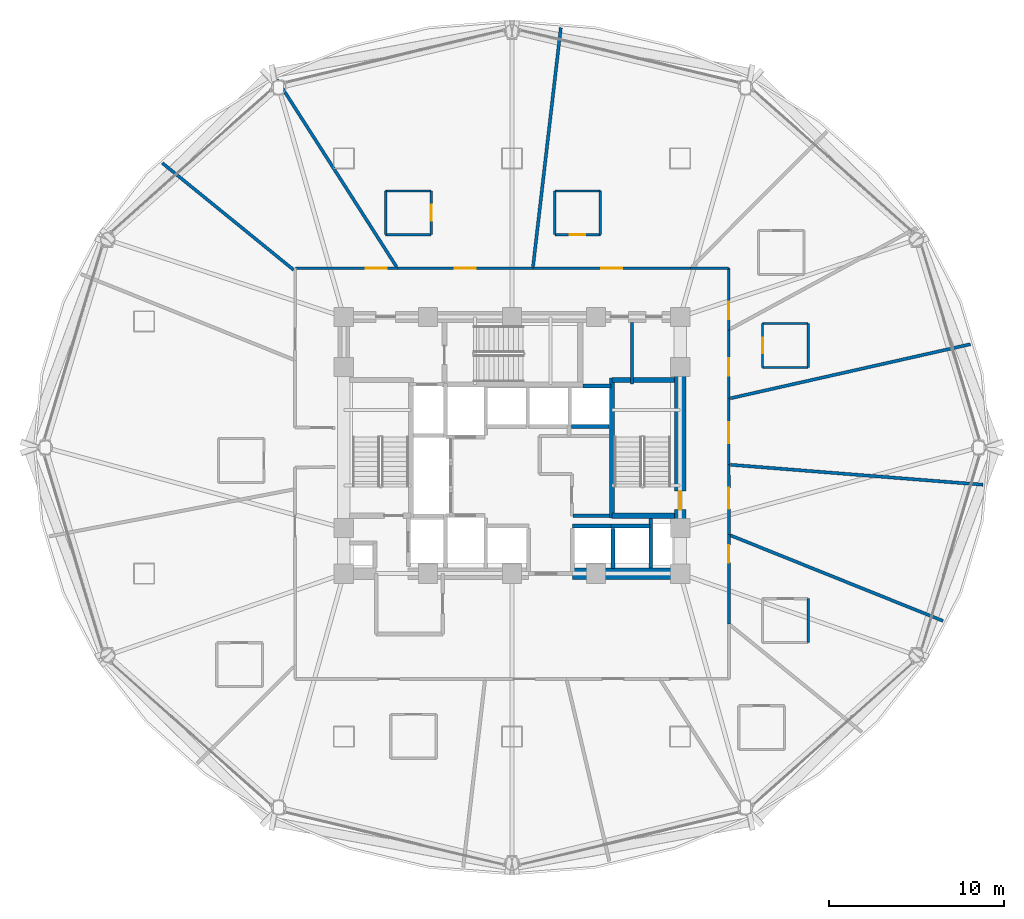
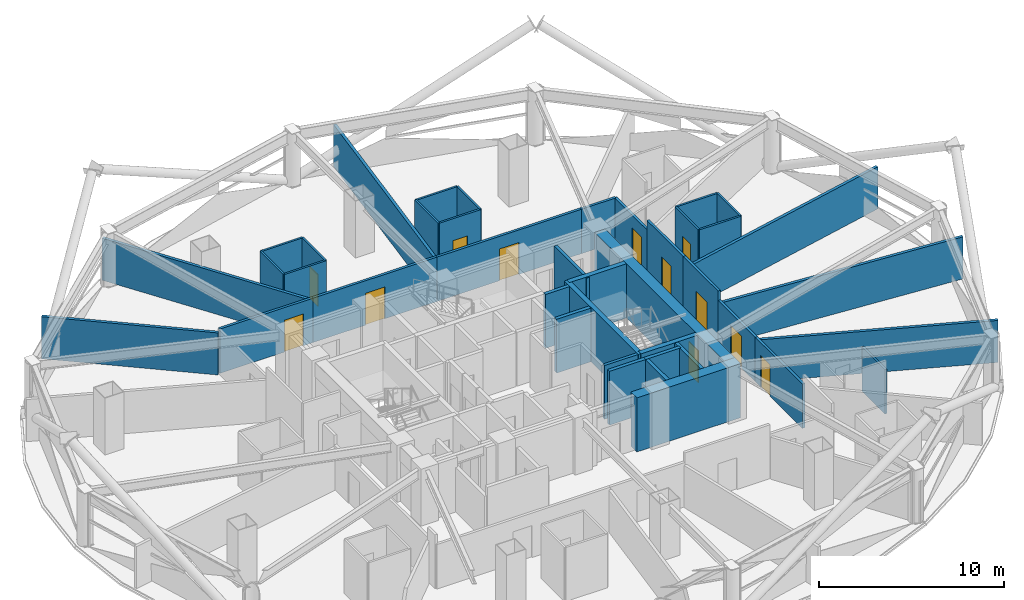
# One storey, part 25 of 30: 41 walls, 12 doors, 12 openings.
"""IFC4 building model written with IfcOpenShell, lengths in metres."""

from ifc_helpers import new_model, si_unit, direction, frame, frame_2d, origin, place, context, subcontext, project, spatial, rectangle, extrude, material, layer, layer_set, type_object, element, fill, save


model = new_model("IFC4")

# Units and contexts
model_context = context("Model", 3, precision=1e-05, world=origin(), true_north=direction((0.0, 1.0)))
body_context = subcontext(model_context, "Body", "Model", "MODEL_VIEW")
ifc_project = project(units=[si_unit("LENGTHUNIT", "METRE"), si_unit("AREAUNIT", "SQUARE_METRE"), si_unit("VOLUMEUNIT", "CUBIC_METRE"), si_unit("PLANEANGLEUNIT", "RADIAN"), si_unit("MASSUNIT", "GRAM", prefix="KILO")], contexts=[model_context])

# Site, building, storey
site_placement = place(None, origin())
site = spatial("IfcSite", under=ifc_project, at=site_placement, CompositionType="ELEMENT")
building_placement = place(site_placement, origin())
building = spatial("IfcBuilding", under=site, at=building_placement, Name="Vantalir Tower", CompositionType="ELEMENT")
storey_placement = place(building_placement, frame((0.0, 0.0, 49.5)))
storey = spatial("IfcBuildingStorey", under=building, at=storey_placement, Name="L11", CompositionType="ELEMENT", Elevation=49.5)

# Walls
ifc_material_1 = material(Name="Moisture-resistant en-suite partition", Category="gypsum")
ifc_layer_1 = layer(ifc_material_1, 0.125)
ifc_layer_set_1 = layer_set([ifc_layer_1], Name="Moisture-resistant en-suite partition")
wall_type_1 = type_object("IfcWallType", Name="WL-BATH-125", PredefinedType="PARTITIONING", material=ifc_layer_set_1)
for number, where, z_axis, x_axis, name in (
    (1, (45.806884765625, 29.572021484375, 0.0), (0.0, 0.0, 1.0), (1.0, 0.0, 0.0), "L11 En-suite 01 South Wall"),
    (2, (45.806884765625, 32.072021484375, 0.0), (0.0, 0.0, 1.0), (1.0, 0.0, 0.0), "L11 En-suite 01 North Wall"),
):
    element("IfcWall", number, at=place(storey_placement, frame(where, z_axis=z_axis, x_axis=x_axis)), inside=storey, type_object=wall_type_1, Name=name, PredefinedType="PARTITIONING", context=body_context, shape_type="SweptSolid", body=[
        extrude(rectangle(XDim=2.60009765625, YDim=0.125, at=frame_2d((1.300048828125, 0.0))), origin(), (0.0, 0.0, 1.0), 3.550048828125),
    ])

# Wall, opening, door
wall_1_placement = place(storey_placement, frame((45.806884765625, 29.572021484375, 0.0), z_axis=(0.0, 0.0, 1.0), x_axis=(0.0, 1.0, 0.0)))
wall_1 = element("IfcWall", 3, at=wall_1_placement, inside=storey, type_object=wall_type_1, Name="L11 En-suite 01 West Wall", PredefinedType="PARTITIONING", context=body_context, shape_type="SweptSolid", body=[
    extrude(rectangle(XDim=2.5, YDim=0.125, at=frame_2d((1.25, 0.0))), origin(), (0.0, 0.0, 1.0), 3.550048828125),
])
opening_1_placement = place(wall_1_placement, frame((0.800048828125, 0.0, 0.0)))
opening_1 = element("IfcOpeningElement", 4, at=opening_1_placement, cuts=wall_1, Name="Opening D-WC", PredefinedType="OPENING", context=body_context, shape_type="SweptSolid", body=[
    extrude(rectangle(XDim=0.89990234375, YDim=2.10009765625, at=frame_2d((0.449951171875, 1.050048828125))), frame((0.0, 0.072509765625, 0.0), z_axis=(0.0, -1.0, 0.0), x_axis=(1.0, 0.0, 0.0)), (0.0, 0.0, 1.0), 0.14501953125),
])
ifc_material_2 = material(Name="Moisture-resistant hardwood door", Category="wood")
door_type_1 = type_object("IfcDoorType", Name="DR-ENSUITE-900", OperationType="NOTDEFINED", PredefinedType="DOOR", material=ifc_material_2)
door_1_placement = place(opening_1_placement, frame((0.89990234375, 0.0, 0.0), z_axis=(0.0, 0.0, 1.0), x_axis=(-1.0, 0.0, 0.0)))
door_1 = element("IfcDoor", 5, at=door_1_placement, inside=storey, type_object=door_type_1, Name="L11 En-suite 01 Door", OperationType="SINGLE_SWING_LEFT", OverallHeight=2.10009765625, OverallWidth=0.89990234375, PredefinedType="DOOR", context=body_context, shape_type="SweptSolid", body=[
    extrude(rectangle(XDim=0.89990234375, YDim=2.10009765625, at=frame_2d((0.449951171875, 1.050048828125))), frame((0.0, 0.02490234375, 0.0), z_axis=(0.0, -1.0, 0.0), x_axis=(1.0, 0.0, 0.0)), (0.0, 0.0, 1.0), 0.050048828125),
])
fill(opening_1, door_1)

# Wall
wall_2_placement = place(storey_placement, frame((48.406982421875, 29.572021484375, 0.0), z_axis=(0.0, 0.0, 1.0), x_axis=(0.0, 1.0, 0.0)))
element("IfcWall", 6, at=wall_2_placement, inside=storey, type_object=wall_type_1, Name="L11 En-suite 01 East Wall", PredefinedType="PARTITIONING", context=body_context, shape_type="SweptSolid", body=[
    extrude(rectangle(XDim=2.5, YDim=0.125, at=frame_2d((1.25, 0.0))), origin(), (0.0, 0.0, 1.0), 3.550048828125),
])

# Wall, opening, door
wall_3_placement = place(storey_placement, frame((33.94189453125, 37.14404296875, 0.0), z_axis=(0.0, 0.0, 1.0), x_axis=(1.0, 0.0, 0.0)))
wall_3 = element("IfcWall", 7, at=wall_3_placement, inside=storey, type_object=wall_type_1, Name="L11 En-suite 03 South Wall", PredefinedType="PARTITIONING", context=body_context, shape_type="SweptSolid", body=[
    extrude(rectangle(XDim=2.60009765625, YDim=0.125, at=frame_2d((1.300048828125, 0.0))), origin(), (0.0, 0.0, 1.0), 3.550048828125),
])
opening_2_placement = place(wall_3_placement, frame((0.85009765625, 0.0, 0.0)))
opening_2 = element("IfcOpeningElement", 8, at=opening_2_placement, cuts=wall_3, Name="Opening D-WC", PredefinedType="OPENING", context=body_context, shape_type="SweptSolid", body=[
    extrude(rectangle(XDim=0.89990234375, YDim=2.10009765625, at=frame_2d((0.449951171875, 1.050048828125))), frame((0.0, 0.072509765625, 0.0), z_axis=(0.0, -1.0, 0.0), x_axis=(1.0, 0.0, 0.0)), (0.0, 0.0, 1.0), 0.14501953125),
])
door_2_placement = place(opening_2_placement, origin())
door_2 = element("IfcDoor", 9, at=door_2_placement, inside=storey, type_object=door_type_1, Name="L11 En-suite 03 Door", OperationType="SINGLE_SWING_LEFT", OverallHeight=2.10009765625, OverallWidth=0.89990234375, PredefinedType="DOOR", context=body_context, shape_type="SweptSolid", body=[
    extrude(rectangle(XDim=0.89990234375, YDim=2.10009765625, at=frame_2d((0.449951171875, 1.050048828125))), frame((0.0, 0.02490234375, 0.0), z_axis=(0.0, -1.0, 0.0), x_axis=(1.0, 0.0, 0.0)), (0.0, 0.0, 1.0), 0.050048828125),
])
fill(opening_2, door_2)

# Walls
wall_4_placement = place(storey_placement, frame((33.94189453125, 39.64404296875, 0.0), z_axis=(0.0, 0.0, 1.0), x_axis=(1.0, 0.0, 0.0)))
element("IfcWall", 10, at=wall_4_placement, inside=storey, type_object=wall_type_1, Name="L11 En-suite 03 North Wall", PredefinedType="PARTITIONING", context=body_context, shape_type="SweptSolid", body=[
    extrude(rectangle(XDim=2.60009765625, YDim=0.125, at=frame_2d((1.300048828125, 0.0))), origin(), (0.0, 0.0, 1.0), 3.550048828125),
])
for number, where, z_axis, x_axis, name in (
    (11, (33.94189453125, 37.14404296875, 0.0), (0.0, 0.0, 1.0), (0.0, 1.0, 0.0), "L11 En-suite 03 West Wall"),
    (12, (36.5419921875, 37.14404296875, 0.0), (0.0, 0.0, 1.0), (0.0, 1.0, 0.0), "L11 En-suite 03 East Wall"),
):
    element("IfcWall", number, at=place(storey_placement, frame(where, z_axis=z_axis, x_axis=x_axis)), inside=storey, type_object=wall_type_1, Name=name, PredefinedType="PARTITIONING", context=body_context, shape_type="SweptSolid", body=[
        extrude(rectangle(XDim=2.5, YDim=0.125, at=frame_2d((1.25, 0.0))), origin(), (0.0, 0.0, 1.0), 3.550048828125),
    ])
for number, where, z_axis, x_axis, name in (
    (13, (24.2900390625, 37.14794921875, 0.0), (0.0, 0.0, 1.0), (1.0, 0.0, 0.0), "L11 En-suite 04 South Wall"),
    (14, (24.2900390625, 39.64794921875, 0.0), (0.0, 0.0, 1.0), (1.0, 0.0, 0.0), "L11 En-suite 04 North Wall"),
):
    element("IfcWall", number, at=place(storey_placement, frame(where, z_axis=z_axis, x_axis=x_axis)), inside=storey, type_object=wall_type_1, Name=name, PredefinedType="PARTITIONING", context=body_context, shape_type="SweptSolid", body=[
        extrude(rectangle(XDim=2.599853515625, YDim=0.125, at=frame_2d((1.2998046875, 0.0))), origin(), (0.0, 0.0, 1.0), 3.550048828125),
    ])
wall_5_placement = place(storey_placement, frame((24.2900390625, 37.14794921875, 0.0), z_axis=(0.0, 0.0, 1.0), x_axis=(0.0, 1.0, 0.0)))
element("IfcWall", 15, at=wall_5_placement, inside=storey, type_object=wall_type_1, Name="L11 En-suite 04 West Wall", PredefinedType="PARTITIONING", context=body_context, shape_type="SweptSolid", body=[
    extrude(rectangle(XDim=2.5, YDim=0.125, at=frame_2d((1.25, 0.0))), origin(), (0.0, 0.0, 1.0), 3.550048828125),
])

# Wall, opening, door
wall_6_placement = place(storey_placement, frame((26.889892578125, 37.14794921875, 0.0), z_axis=(0.0, 0.0, 1.0), x_axis=(0.0, 1.0, 0.0)))
wall_6 = element("IfcWall", 16, at=wall_6_placement, inside=storey, type_object=wall_type_1, Name="L11 En-suite 04 East Wall", PredefinedType="PARTITIONING", context=body_context, shape_type="SweptSolid", body=[
    extrude(rectangle(XDim=2.5, YDim=0.125, at=frame_2d((1.25, 0.0))), origin(), (0.0, 0.0, 1.0), 3.550048828125),
])
opening_3_placement = place(wall_6_placement, frame((0.800048828125, 0.0, 0.0)))
opening_3 = element("IfcOpeningElement", 17, at=opening_3_placement, cuts=wall_6, Name="Opening D-WC", PredefinedType="OPENING", context=body_context, shape_type="SweptSolid", body=[
    extrude(rectangle(XDim=0.89990234375, YDim=2.10009765625, at=frame_2d((0.449951171875, 1.050048828125))), frame((0.0, 0.072509765625, 0.0), z_axis=(0.0, -1.0, 0.0), x_axis=(1.0, 0.0, 0.0)), (0.0, 0.0, 1.0), 0.14501953125),
])
door_3_placement = place(opening_3_placement, origin())
door_3 = element("IfcDoor", 18, at=door_3_placement, inside=storey, type_object=door_type_1, Name="L11 En-suite 04 Door", OperationType="SINGLE_SWING_RIGHT", OverallHeight=2.10009765625, OverallWidth=0.89990234375, PredefinedType="DOOR", context=body_context, shape_type="SweptSolid", body=[
    extrude(rectangle(XDim=0.89990234375, YDim=2.10009765625, at=frame_2d((0.449951171875, 1.050048828125))), frame((0.0, 0.02490234375, 0.0), z_axis=(0.0, -1.0, 0.0), x_axis=(1.0, 0.0, 0.0)), (0.0, 0.0, 1.0), 0.050048828125),
])
fill(opening_3, door_3)

# Walls
wall_7_placement = place(storey_placement, frame((48.406005859375, 13.867919921875, 0.0), z_axis=(0.0, 0.0, 1.0), x_axis=(0.0, 1.0, 0.0)))
element("IfcWall", 19, at=wall_7_placement, inside=storey, type_object=wall_type_1, Name="L11 En-suite 13 East Wall", PredefinedType="PARTITIONING", context=body_context, shape_type="SweptSolid", body=[
    extrude(rectangle(XDim=2.5, YDim=0.125, at=frame_2d((1.25, 0.0))), origin(), (0.0, 0.0, 1.0), 2.927978515625),
])
ifc_material_3 = material(Name="Concrete C60/75", Category="concrete")
ifc_layer_2 = layer(ifc_material_3, 0.64990234375)
ifc_layer_set_2 = layer_set([ifc_layer_2], Name="Concrete C60/75")
wall_type_2 = type_object("IfcWallType", Name="WL-CORE-650", PredefinedType="SHEAR", material=ifc_layer_set_2)
wall_8_placement = place(storey_placement, frame((34.949951171875, 17.800048828125, 0.0), z_axis=(0.0, 0.0, 1.0), x_axis=(1.0, 0.0, 0.0)))
element("IfcWall", 20, at=wall_8_placement, inside=storey, type_object=wall_type_2, Name="L11 Core Shear Wall South-East", PredefinedType="SHEAR", context=body_context, shape_type="SweptSolid", body=[
    extrude(rectangle(XDim=6.47509765625, YDim=0.64990234375, at=frame_2d((3.237548828125, 0.0))), origin(), (0.0, 0.0, 1.0), 3.570068359375),
])

# Wall, opening, door
wall_9_placement = place(storey_placement, frame((41.10009765625, 18.125, 0.0), z_axis=(0.0, 0.0, 1.0), x_axis=(0.0, 1.0, 0.0)))
wall_9 = element("IfcWall", 21, at=wall_9_placement, inside=storey, type_object=wall_type_2, Name="L11 Core Shear Wall East", PredefinedType="SHEAR", context=body_context, shape_type="SweptSolid", body=[
    extrude(rectangle(XDim=14.0, YDim=0.64990234375, at=frame_2d((7.0, 0.0))), origin(), (0.0, 0.0, 1.0), 3.570068359375),
])
opening_4_placement = place(wall_9_placement, frame((3.3349609375, 0.0, 0.0)))
opening_4 = element("IfcOpeningElement", 22, at=opening_4_placement, cuts=wall_9, Name="Opening D-ST", PredefinedType="OPENING", context=body_context, shape_type="SweptSolid", body=[
    extrude(rectangle(XDim=1.050048828125, YDim=2.10009765625, at=frame_2d((0.52490234375, 1.050048828125))), frame((0.0, 0.3349609375, 0.0), z_axis=(0.0, -1.0, 0.0), x_axis=(1.0, 0.0, 0.0)), (0.0, 0.0, 1.0), 0.669921875),
])
ifc_material_4 = material(Name="Fire-rated steel door leaf", Category="steel")
door_type_2 = type_object("IfcDoorType", Name="DR-FIRE-STAIR-1050", OperationType="NOTDEFINED", PredefinedType="DOOR", material=ifc_material_4)
door_4_placement = place(opening_4_placement, origin())
door_4 = element("IfcDoor", 23, at=door_4_placement, inside=storey, type_object=door_type_2, Name="L11 Exit Stair ST2 Fire Door", OperationType="SINGLE_SWING_LEFT", OverallHeight=2.10009765625, OverallWidth=1.050048828125, PredefinedType="DOOR", context=body_context, shape_type="SweptSolid", body=[
    extrude(rectangle(XDim=1.050048828125, YDim=2.10009765625, at=frame_2d((0.52490234375, 1.050048828125))), frame((0.0, 0.02490234375, 0.0), z_axis=(0.0, -1.0, 0.0), x_axis=(1.0, 0.0, 0.0)), (0.0, 0.0, 1.0), 0.050048828125),
])
fill(opening_4, door_4)

ifc_material_5 = material(Name="Fire-rated hotel corridor acoustic partition", Category="gypsum")
ifc_layer_3 = layer(ifc_material_5, 0.159912109375)
ifc_layer_set_3 = layer_set([ifc_layer_3], Name="Fire-rated hotel corridor acoustic partition")
wall_type_3 = type_object("IfcWallType", Name="WL-CORR-160", PredefinedType="PARTITIONING", material=ifc_layer_set_3)
wall_10_placement = place(storey_placement, frame((19.131103515625, 35.235107421875, 0.0), z_axis=(0.0, 0.0, 1.0), x_axis=(1.0, 0.0, 0.0)))
wall_10 = element("IfcWall", 24, at=wall_10_placement, inside=storey, type_object=wall_type_3, Name="L11 Corridor Partition 04", PredefinedType="PARTITIONING", context=body_context, shape_type="SweptSolid", body=[
    extrude(rectangle(XDim=5.828857421875, YDim=0.159912109375, at=frame_2d((2.91455078125, 0.0))), origin(), (0.0, 0.0, 1.0), 2.927978515625),
])
opening_5_placement = place(wall_10_placement, frame((4.02294921875, 0.0, 0.0)))
opening_5 = element("IfcOpeningElement", 25, at=opening_5_placement, cuts=wall_10, Name="Opening D-STE", PredefinedType="OPENING", context=body_context, shape_type="SweptSolid", body=[
    extrude(rectangle(XDim=1.199951171875, YDim=2.10009765625, at=frame_2d((0.60009765625, 1.050048828125))), frame((0.0, 0.08984375, 0.0), z_axis=(0.0, -1.0, 0.0), x_axis=(1.0, 0.0, 0.0)), (0.0, 0.0, 1.0), 0.179931640625),
])
ifc_material_6 = material(Name="Solid-core teak veneer suite entrance door", Category="wood")
door_type_3 = type_object("IfcDoorType", Name="DR-SUITE-ENTRY-1200", OperationType="NOTDEFINED", PredefinedType="DOOR", material=ifc_material_6)
door_5_placement = place(opening_5_placement, origin())
door_5 = element("IfcDoor", 26, at=door_5_placement, inside=storey, type_object=door_type_3, Name="L11 Club Reading Lounge 05 Door", OperationType="SINGLE_SWING_RIGHT", OverallHeight=2.10009765625, OverallWidth=1.199951171875, PredefinedType="DOOR", context=body_context, shape_type="SweptSolid", body=[
    extrude(rectangle(XDim=1.199951171875, YDim=2.10009765625, at=frame_2d((0.60009765625, 1.050048828125))), frame((0.0, 0.02490234375, 0.0), z_axis=(0.0, -1.0, 0.0), x_axis=(1.0, 0.0, 0.0)), (0.0, 0.0, 1.0), 0.050048828125),
])
fill(opening_5, door_5)

wall_11_placement = place(storey_placement, frame((24.9599609375, 35.235107421875, 0.0), z_axis=(0.0, 0.0, 1.0), x_axis=(1.0, 0.0, 0.0)))
wall_11 = element("IfcWall", 27, at=wall_11_placement, inside=storey, type_object=wall_type_3, Name="L11 Corridor Partition 05", PredefinedType="PARTITIONING", context=body_context, shape_type="SweptSolid", body=[
    extrude(rectangle(XDim=7.73095703125, YDim=0.159912109375, at=frame_2d((3.865478515625, 0.0))), origin(), (0.0, 0.0, 1.0), 2.927978515625),
])
opening_6_placement = place(wall_11_placement, frame((3.26611328125, 0.0, 0.0)))
opening_6 = element("IfcOpeningElement", 28, at=opening_6_placement, cuts=wall_11, Name="Opening D-STE", PredefinedType="OPENING", context=body_context, shape_type="SweptSolid", body=[
    extrude(rectangle(XDim=1.199951171875, YDim=2.10009765625, at=frame_2d((0.60009765625, 1.050048828125))), frame((0.0, 0.08984375, 0.0), z_axis=(0.0, -1.0, 0.0), x_axis=(1.0, 0.0, 0.0)), (0.0, 0.0, 1.0), 0.179931640625),
])
door_6_placement = place(opening_6_placement, origin())
door_6 = element("IfcDoor", 29, at=door_6_placement, inside=storey, type_object=door_type_3, Name="L11 Corner Panorama Hotel Suite 04 Door", OperationType="SINGLE_SWING_LEFT", OverallHeight=2.10009765625, OverallWidth=1.199951171875, PredefinedType="DOOR", context=body_context, shape_type="SweptSolid", body=[
    extrude(rectangle(XDim=1.199951171875, YDim=2.10009765625, at=frame_2d((0.60009765625, 1.050048828125))), frame((0.0, 0.02490234375, 0.0), z_axis=(0.0, -1.0, 0.0), x_axis=(1.0, 0.0, 0.0)), (0.0, 0.0, 1.0), 0.050048828125),
])
fill(opening_6, door_6)

wall_12_placement = place(storey_placement, frame((32.69091796875, 35.235107421875, 0.0), z_axis=(0.0, 0.0, 1.0), x_axis=(1.0, 0.0, 0.0)))
wall_12 = element("IfcWall", 30, at=wall_12_placement, inside=storey, type_object=wall_type_3, Name="L11 Corridor Partition 06", PredefinedType="PARTITIONING", context=body_context, shape_type="SweptSolid", body=[
    extrude(rectangle(XDim=9.009033203125, YDim=0.159912109375, at=frame_2d((4.50439453125, 0.0))), origin(), (0.0, 0.0, 1.0), 2.927978515625),
])
opening_7_placement = place(wall_12_placement, frame((3.904052734375, 0.0, 0.0)))
opening_7 = element("IfcOpeningElement", 31, at=opening_7_placement, cuts=wall_12, Name="Opening D-STE", PredefinedType="OPENING", context=body_context, shape_type="SweptSolid", body=[
    extrude(rectangle(XDim=1.199951171875, YDim=2.10009765625, at=frame_2d((0.60009765625, 1.050048828125))), frame((0.0, 0.08984375, 0.0), z_axis=(0.0, -1.0, 0.0), x_axis=(1.0, 0.0, 0.0)), (0.0, 0.0, 1.0), 0.179931640625),
])
door_7_placement = place(opening_7_placement, origin())
door_7 = element("IfcDoor", 32, at=door_7_placement, inside=storey, type_object=door_type_3, Name="L11 Executive Club Hotel Suite 03 Door", OperationType="SINGLE_SWING_RIGHT", OverallHeight=2.10009765625, OverallWidth=1.199951171875, PredefinedType="DOOR", context=body_context, shape_type="SweptSolid", body=[
    extrude(rectangle(XDim=1.199951171875, YDim=2.10009765625, at=frame_2d((0.60009765625, 1.050048828125))), frame((0.0, 0.02490234375, 0.0), z_axis=(0.0, -1.0, 0.0), x_axis=(1.0, 0.0, 0.0)), (0.0, 0.0, 1.0), 0.050048828125),
])
fill(opening_7, door_7)

# Wall
wall_13_placement = place(storey_placement, frame((41.699951171875, 35.235107421875, 0.0), z_axis=(0.0, 0.0, 1.0), x_axis=(1.0, 0.0, 0.0)))
element("IfcWall", 33, at=wall_13_placement, inside=storey, type_object=wall_type_3, Name="L11 Corridor Partition 07", PredefinedType="PARTITIONING", context=body_context, shape_type="SweptSolid", body=[
    extrude(rectangle(XDim=2.1689453125, YDim=0.159912109375, at=frame_2d((1.08447265625, 0.0))), origin(), (0.0, 0.0, 1.0), 2.927978515625),
])

# Wall, opening, door
wall_14_placement = place(storey_placement, frame((43.868896484375, 35.235107421875, 0.0), z_axis=(0.0, 0.0, 1.0), x_axis=(0.00062439283, -0.999999805067, 0.0)))
wall_14 = element("IfcWall", 34, at=wall_14_placement, inside=storey, type_object=wall_type_3, Name="L11 Corridor Partition 08", PredefinedType="PARTITIONING", context=body_context, shape_type="SweptSolid", body=[
    extrude(rectangle(XDim=3.51904296875, YDim=0.159912109375, at=frame_2d((1.759521484375, 0.0))), origin(), (0.0, 0.0, 1.0), 2.927978515625),
])
opening_8_placement = place(wall_14_placement, frame((1.9189453125, 0.0, 0.0)))
opening_8 = element("IfcOpeningElement", 35, at=opening_8_placement, cuts=wall_14, Name="Opening D-GUEST", PredefinedType="OPENING", context=body_context, shape_type="SweptSolid", body=[
    extrude(rectangle(XDim=1.0, YDim=2.10009765625, at=frame_2d((0.5, 1.050048828125))), frame((0.0, 0.08984375, 0.0), z_axis=(0.0, -1.0, 0.0), x_axis=(1.0, 0.0, 0.0)), (0.0, 0.0, 1.0), 0.179931640625),
])
ifc_material_7 = material(Name="Solid-core teak veneer acoustic fire door", Category="wood")
door_type_4 = type_object("IfcDoorType", Name="DR-GUEST-ENTRY-1000", OperationType="NOTDEFINED", PredefinedType="DOOR", material=ifc_material_7)
door_8_placement = place(opening_8_placement, origin())
door_8 = element("IfcDoor", 36, at=door_8_placement, inside=storey, type_object=door_type_4, Name="L11 Deluxe King Hotel Room 02 Door", OperationType="SINGLE_SWING_LEFT", OverallHeight=2.10009765625, OverallWidth=1.0, PredefinedType="DOOR", context=body_context, shape_type="SweptSolid", body=[
    extrude(rectangle(XDim=1.0, YDim=2.10009765625, at=frame_2d((0.5, 1.050048828125))), frame((0.0, 0.02490234375, 0.0), z_axis=(0.0, -1.0, 0.0), x_axis=(1.0, 0.0, 0.0)), (0.0, 0.0, 1.0), 0.050048828125),
])
fill(opening_8, door_8)

wall_15_placement = place(storey_placement, frame((43.87109375, 31.716064453125, 0.0), z_axis=(0.0, 0.0, 1.0), x_axis=(0.000745850995, -0.999999721853, 0.0)))
wall_15 = element("IfcWall", 37, at=wall_15_placement, inside=storey, type_object=wall_type_3, Name="L11 Corridor Partition 09", PredefinedType="PARTITIONING", context=body_context, shape_type="SweptSolid", body=[
    extrude(rectangle(XDim=3.927978515625, YDim=0.159912109375, at=frame_2d((1.9638671875, 0.0))), origin(), (0.0, 0.0, 1.0), 3.550048828125),
])
opening_9_placement = place(wall_15_placement, frame((1.60888671875, 0.0, 0.0)))
opening_9 = element("IfcOpeningElement", 38, at=opening_9_placement, cuts=wall_15, Name="Opening D-GUEST", PredefinedType="OPENING", context=body_context, shape_type="SweptSolid", body=[
    extrude(rectangle(XDim=1.0, YDim=2.10009765625, at=frame_2d((0.5, 1.050048828125))), frame((0.0, 0.08984375, 0.0), z_axis=(0.0, -1.0, 0.0), x_axis=(1.0, 0.0, 0.0)), (0.0, 0.0, 1.0), 0.179931640625),
])
door_9_placement = place(opening_9_placement, origin())
door_9 = element("IfcDoor", 39, at=door_9_placement, inside=storey, type_object=door_type_4, Name="L11 Twin Queen Hotel Room 01 Door", OperationType="SINGLE_SWING_RIGHT", OverallHeight=2.10009765625, OverallWidth=1.0, PredefinedType="DOOR", context=body_context, shape_type="SweptSolid", body=[
    extrude(rectangle(XDim=1.0, YDim=2.10009765625, at=frame_2d((0.5, 1.050048828125))), frame((0.0, 0.02490234375, 0.0), z_axis=(0.0, -1.0, 0.0), x_axis=(1.0, 0.0, 0.0)), (0.0, 0.0, 1.0), 0.050048828125),
])
fill(opening_9, door_9)

wall_16_placement = place(storey_placement, frame((43.8740234375, 27.7880859375, 0.0), z_axis=(0.0, 0.0, 1.0), x_axis=(0.000777907194, -0.99999969743, 0.0)))
wall_16 = element("IfcWall", 40, at=wall_16_placement, inside=storey, type_object=wall_type_3, Name="L11 Corridor Partition 10", PredefinedType="PARTITIONING", context=body_context, shape_type="SweptSolid", body=[
    extrude(rectangle(XDim=3.76611328125, YDim=0.159912109375, at=frame_2d((1.883056640625, 0.0))), origin(), (0.0, 0.0, 1.0), 3.550048828125),
])
opening_10_placement = place(wall_16_placement, frame((1.35791015625, 0.0, 0.0)))
opening_10 = element("IfcOpeningElement", 41, at=opening_10_placement, cuts=wall_16, Name="Opening D-STE", PredefinedType="OPENING", context=body_context, shape_type="SweptSolid", body=[
    extrude(rectangle(XDim=1.199951171875, YDim=2.10009765625, at=frame_2d((0.60009765625, 1.050048828125))), frame((0.0, 0.08984375, 0.0), z_axis=(0.0, -1.0, 0.0), x_axis=(1.0, 0.0, 0.0)), (0.0, 0.0, 1.0), 0.179931640625),
])
door_10_placement = place(opening_10_placement, origin())
door_10 = element("IfcDoor", 42, at=door_10_placement, inside=storey, type_object=door_type_3, Name="L11 Executive Sky Boardroom 15 Door", OperationType="SINGLE_SWING_RIGHT", OverallHeight=2.10009765625, OverallWidth=1.199951171875, PredefinedType="DOOR", context=body_context, shape_type="SweptSolid", body=[
    extrude(rectangle(XDim=1.199951171875, YDim=2.10009765625, at=frame_2d((0.60009765625, 1.050048828125))), frame((0.0, 0.02490234375, 0.0), z_axis=(0.0, -1.0, 0.0), x_axis=(1.0, 0.0, 0.0)), (0.0, 0.0, 1.0), 0.050048828125),
])
fill(opening_10, door_10)

wall_17_placement = place(storey_placement, frame((43.876953125, 24.02197265625, 0.0), z_axis=(0.0, 0.0, 1.0), x_axis=(0.000732064226, -0.999999732041, 0.0)))
wall_17 = element("IfcWall", 43, at=wall_17_placement, inside=storey, type_object=wall_type_3, Name="L11 Corridor Partition 11", PredefinedType="PARTITIONING", context=body_context, shape_type="SweptSolid", body=[
    extrude(rectangle(XDim=4.001953125, YDim=0.159912109375, at=frame_2d((2.0009765625, 0.0))), origin(), (0.0, 0.0, 1.0), 2.927978515625),
])
opening_11_placement = place(wall_17_placement, frame((1.327880859375, 0.0, 0.0)))
opening_11 = element("IfcOpeningElement", 44, at=opening_11_placement, cuts=wall_17, Name="Opening D-STE", PredefinedType="OPENING", context=body_context, shape_type="SweptSolid", body=[
    extrude(rectangle(XDim=1.199951171875, YDim=2.10009765625, at=frame_2d((0.60009765625, 1.050048828125))), frame((0.0, 0.08984375, 0.0), z_axis=(0.0, -1.0, 0.0), x_axis=(1.0, 0.0, 0.0)), (0.0, 0.0, 1.0), 0.179931640625),
])
door_11_placement = place(opening_11_placement, origin())
door_11 = element("IfcDoor", 45, at=door_11_placement, inside=storey, type_object=door_type_3, Name="L11 Club Reading Lounge 14 Door", OperationType="SINGLE_SWING_LEFT", OverallHeight=2.10009765625, OverallWidth=1.199951171875, PredefinedType="DOOR", context=body_context, shape_type="SweptSolid", body=[
    extrude(rectangle(XDim=1.199951171875, YDim=2.10009765625, at=frame_2d((0.60009765625, 1.050048828125))), frame((0.0, 0.02490234375, 0.0), z_axis=(0.0, -1.0, 0.0), x_axis=(1.0, 0.0, 0.0)), (0.0, 0.0, 1.0), 0.050048828125),
])
fill(opening_11, door_11)

wall_18_placement = place(storey_placement, frame((43.8798828125, 20.02001953125, 0.0), z_axis=(0.0, 0.0, 1.0), x_axis=(0.000623052839, -0.999999805903, 0.0)))
wall_18 = element("IfcWall", 46, at=wall_18_placement, inside=storey, type_object=wall_type_3, Name="L11 Corridor Partition 12", PredefinedType="PARTITIONING", context=body_context, shape_type="SweptSolid", body=[
    extrude(rectangle(XDim=5.093994140625, YDim=0.159912109375, at=frame_2d((2.546875, 0.0))), origin(), (0.0, 0.0, 1.0), 2.927978515625),
])
opening_12_placement = place(wall_18_placement, frame((0.594970703125, 0.0, 0.0)))
opening_12 = element("IfcOpeningElement", 47, at=opening_12_placement, cuts=wall_18, Name="Opening D-GUEST", PredefinedType="OPENING", context=body_context, shape_type="SweptSolid", body=[
    extrude(rectangle(XDim=1.0, YDim=2.10009765625, at=frame_2d((0.5, 1.050048828125))), frame((0.0, 0.08984375, 0.0), z_axis=(0.0, -1.0, 0.0), x_axis=(1.0, 0.0, 0.0)), (0.0, 0.0, 1.0), 0.179931640625),
])
door_12_placement = place(opening_12_placement, origin())
door_12 = element("IfcDoor", 48, at=door_12_placement, inside=storey, type_object=door_type_4, Name="L11 Deluxe King Hotel Room 13 Door", OperationType="SINGLE_SWING_RIGHT", OverallHeight=2.10009765625, OverallWidth=1.0, PredefinedType="DOOR", context=body_context, shape_type="SweptSolid", body=[
    extrude(rectangle(XDim=1.0, YDim=2.10009765625, at=frame_2d((0.5, 1.050048828125))), frame((0.0, 0.02490234375, 0.0), z_axis=(0.0, -1.0, 0.0), x_axis=(1.0, 0.0, 0.0)), (0.0, 0.0, 1.0), 0.050048828125),
])
fill(opening_12, door_12)

# Walls
ifc_material_8 = material(Name="Concrete blockwork with fireboard lining", Category="masonry")
ifc_layer_4 = layer(ifc_material_8, 0.219970703125)
ifc_layer_set_4 = layer_set([ifc_layer_4], Name="Concrete blockwork with fireboard lining")
wall_type_4 = type_object("IfcWallType", Name="WL-FFL-220", PredefinedType="PARTITIONING", material=ifc_layer_set_4)
wall_19_placement = place(storey_placement, frame((37.27490234375, 18.080078125, 0.0), z_axis=(0.0, 0.0, 1.0), x_axis=(0.0, 1.0, 0.0)))
element("IfcWall", 49, at=wall_19_placement, inside=storey, type_object=wall_type_4, Name="L11 Shuttle Lift PL-X2/X3 Shaft Divider", PredefinedType="PARTITIONING", context=body_context, shape_type="SweptSolid", body=[
    extrude(rectangle(XDim=2.309814453125, YDim=0.219970703125, at=frame_2d((1.15478515625, 0.0))), origin(), (0.0, 0.0, 1.0), 3.544921875),
])
wall_20_placement = place(storey_placement, frame((34.909912109375, 26.18994140625, 0.0), z_axis=(0.0, 0.0, 1.0), x_axis=(1.0, 0.0, 0.0)))
element("IfcWall", 50, at=wall_20_placement, inside=storey, type_object=wall_type_4, Name="L11 High-Rise Lift PL-H3 Rear Shaft Wall", PredefinedType="PARTITIONING", context=body_context, shape_type="SweptSolid", body=[
    extrude(rectangle(XDim=2.14013671875, YDim=0.219970703125, at=frame_2d((1.070068359375, 0.0))), origin(), (0.0, 0.0, 1.0), 3.544921875),
])
wall_21_placement = place(storey_placement, frame((39.419921875, 18.125, 0.0), z_axis=(0.0, 0.0, 1.0), x_axis=(0.0, 1.0, 0.0)))
element("IfcWall", 51, at=wall_21_placement, inside=storey, type_object=wall_type_4, Name="L11 East MEP Riser Wall W", PredefinedType="PARTITIONING", context=body_context, shape_type="SweptSolid", body=[
    extrude(rectangle(XDim=2.824951171875, YDim=0.219970703125, at=frame_2d((1.41259765625, 0.0))), origin(), (0.0, 0.0, 1.0), 3.550048828125),
])
for number, where, z_axis, x_axis, name in (
    (52, (37.139892578125, 20.510009765625, 0.0), (0.0, 0.0, 1.0), (1.0, 0.0, 0.0), "L11 Lift PL-X2 Shaft Rear Wall"),
    (53, (34.93994140625, 20.510009765625, 0.0), (0.0, 0.0, 1.0), (1.0, 0.0, 0.0), "L11 Lift PL-X3 Shaft Front Wall"),
):
    element("IfcWall", number, at=place(storey_placement, frame(where, z_axis=z_axis, x_axis=x_axis)), inside=storey, type_object=wall_type_4, Name=name, PredefinedType="PARTITIONING", context=body_context, shape_type="SweptSolid", body=[
        extrude(rectangle(XDim=2.239990234375, YDim=0.219970703125, at=frame_2d((1.1201171875, 0.0))), origin(), (0.0, 0.0, 1.0), 3.550048828125),
    ])
wall_22_placement = place(storey_placement, frame((35.56005859375, 28.510009765625, 0.0), z_axis=(0.0, 0.0, 1.0), x_axis=(1.0, 0.0, 0.0)))
element("IfcWall", 54, at=wall_22_placement, inside=storey, type_object=wall_type_4, Name="L11 Lift PL-H3 Shaft Front Wall", PredefinedType="PARTITIONING", context=body_context, shape_type="SweptSolid", body=[
    extrude(rectangle(XDim=1.599853515625, YDim=0.219970703125, at=frame_2d((0.7998046875, 0.0))), origin(), (0.0, 0.0, 1.0), 3.550048828125),
])
ifc_material_9 = material(Name="Twin-stud acoustic fire-rated gypsum partition", Category="gypsum")
ifc_layer_5 = layer(ifc_material_9, 0.179931640625)
ifc_layer_set_5 = layer_set([ifc_layer_5], Name="Twin-stud acoustic fire-rated gypsum partition")
wall_type_5 = type_object("IfcWallType", Name="WL-GUEST-180", PredefinedType="PARTITIONING", material=ifc_layer_set_5)
wall_23_placement = place(storey_placement, frame((34.97998046875, 21.10009765625, 0.0), z_axis=(0.0, 0.0, 1.0), x_axis=(1.0, 0.0, 0.0)))
element("IfcWall", 55, at=wall_23_placement, inside=storey, type_object=wall_type_5, Name="L11 Freed East Core South Wall", PredefinedType="PARTITIONING", context=body_context, shape_type="SweptSolid", body=[
    extrude(rectangle(XDim=2.080078125, YDim=0.179931640625, at=frame_2d((1.0400390625, 0.0))), origin(), (0.0, 0.0, 1.0), 3.550048828125),
])
wall_24_placement = place(storey_placement, frame((38.340087890625, 28.6201171875, 0.0), z_axis=(0.0, 0.0, 1.0), x_axis=(0.0, 1.0, 0.0)))
element("IfcWall", 56, at=wall_24_placement, inside=storey, type_object=wall_type_5, Name="L11 High-Rise Lift Lobby East Wall", PredefinedType="PARTITIONING", context=body_context, shape_type="SweptSolid", body=[
    extrude(rectangle(XDim=3.5048828125, YDim=0.179931640625, at=frame_2d((1.75244140625, 0.0))), origin(), (0.0, 0.0, 1.0), 3.550048828125),
])
wall_25_placement = place(storey_placement, frame((43.965087890625, 27.80810546875, 0.0), z_axis=(0.0, 0.0, 1.0), x_axis=(0.975548947741, 0.219782279907, 0.0)))
element("IfcWall", 57, at=wall_25_placement, inside=storey, type_object=wall_type_5, Name="L11 Radial Suite Partition 01", PredefinedType="PARTITIONING", context=body_context, shape_type="SweptSolid", body=[
    extrude(rectangle(XDim=14.04541015625, YDim=0.179931640625, at=frame_2d((7.022705078125, 0.0))), origin(), (0.0, 0.0, 1.0), 2.77490234375),
])
wall_26_placement = place(storey_placement, frame((32.699951171875, 35.31494140625, 0.0), z_axis=(0.0, 0.0, 1.0), x_axis=(0.115555102972, 0.993301071265, 0.0)))
element("IfcWall", 58, at=wall_26_placement, inside=storey, type_object=wall_type_5, Name="L11 Radial Suite Partition 04", PredefinedType="PARTITIONING", context=body_context, shape_type="SweptSolid", body=[
    extrude(rectangle(XDim=13.735107421875, YDim=0.179931640625, at=frame_2d((6.86767578125, 0.0))), origin(), (0.0, 0.0, 1.0), 2.77490234375),
])
wall_27_placement = place(storey_placement, frame((24.908935546875, 35.31494140625, 0.0), z_axis=(0.0, 0.0, 1.0), x_axis=(-0.538458076676, 0.842652300574, 0.0)))
element("IfcWall", 59, at=wall_27_placement, inside=storey, type_object=wall_type_5, Name="L11 Radial Suite Partition 05", PredefinedType="PARTITIONING", context=body_context, shape_type="SweptSolid", body=[
    extrude(rectangle(XDim=12.66943359375, YDim=0.179931640625, at=frame_2d((6.334716796875, 0.0))), origin(), (0.0, 0.0, 1.0), 2.77490234375),
])
wall_28_placement = place(storey_placement, frame((19.034912109375, 35.139892578125, 0.0), z_axis=(0.0, 0.0, 1.0), x_axis=(-0.77570287791, 0.631098284899, 0.0)))
element("IfcWall", 60, at=wall_28_placement, inside=storey, type_object=wall_type_5, Name="L11 Radial Suite Partition 06", PredefinedType="PARTITIONING", context=body_context, shape_type="SweptSolid", body=[
    extrude(rectangle(XDim=9.66748046875, YDim=0.179931640625, at=frame_2d((4.833740234375, 0.0))), origin(), (0.0, 0.0, 1.0), 2.77490234375),
])
wall_29_placement = place(storey_placement, frame((43.965087890625, 19.986083984375, 0.0), z_axis=(0.0, 0.0, 1.0), x_axis=(0.927750435419, -0.373201191827, 0.0)))
element("IfcWall", 61, at=wall_29_placement, inside=storey, type_object=wall_type_5, Name="L11 Radial Suite Partition 14", PredefinedType="PARTITIONING", context=body_context, shape_type="SweptSolid", body=[
    extrude(rectangle(XDim=13.084228515625, YDim=0.179931640625, at=frame_2d((6.5419921875, 0.0))), origin(), (0.0, 0.0, 1.0), 2.77490234375),
])
wall_30_placement = place(storey_placement, frame((43.965087890625, 24.014892578125, 0.0), z_axis=(0.0, 0.0, 1.0), x_axis=(0.996887926133, -0.078831863678, 0.0)))
element("IfcWall", 62, at=wall_30_placement, inside=storey, type_object=wall_type_5, Name="L11 Radial Suite Partition 15", PredefinedType="PARTITIONING", context=body_context, shape_type="SweptSolid", body=[
    extrude(rectangle(XDim=14.459716796875, YDim=0.179931640625, at=frame_2d((7.22998046875, 0.0))), origin(), (0.0, 0.0, 1.0), 2.77490234375),
])
ifc_material_10 = material(Name="Concrete C50/60", Category="concrete")
ifc_layer_6 = layer(ifc_material_10, 0.300048828125)
ifc_layer_set_6 = layer_set([ifc_layer_6], Name="Concrete C50/60")
wall_type_6 = type_object("IfcWallType", Name="WL-STAIR-300", PredefinedType="SHEAR", material=ifc_layer_set_6)
for number, where, z_axis, x_axis, name in (
    (63, (37.2099609375, 21.10009765625, 0.0), (0.0, 0.0, 1.0), (1.0, 0.0, 0.0), "L11 Stair ST2 South Wall"),
    (64, (37.2099609375, 28.85009765625, 0.0), (0.0, 0.0, 1.0), (1.0, 0.0, 0.0), "L11 Stair ST2 North Wall"),
):
    element("IfcWall", number, at=place(storey_placement, frame(where, z_axis=z_axis, x_axis=x_axis)), inside=storey, type_object=wall_type_6, Name=name, PredefinedType="SHEAR", context=body_context, shape_type="SweptSolid", body=[
        extrude(rectangle(XDim=3.56494140625, YDim=0.300048828125, at=frame_2d((1.782470703125, 0.0))), origin(), (0.0, 0.0, 1.0), 3.570068359375),
    ])
wall_31_placement = place(storey_placement, frame((37.2099609375, 20.97998046875, 0.0), z_axis=(0.0, 0.0, 1.0), x_axis=(0.0, 1.0, 0.0)))
element("IfcWall", 65, at=wall_31_placement, inside=storey, type_object=wall_type_6, Name="L11 Stair ST2 West Wall", PredefinedType="SHEAR", context=body_context, shape_type="SweptSolid", body=[
    extrude(rectangle(XDim=7.989990234375, YDim=0.300048828125, at=frame_2d((3.9951171875, 0.0))), origin(), (0.0, 0.0, 1.0), 3.570068359375),
])

save(model, "model.ifc")
